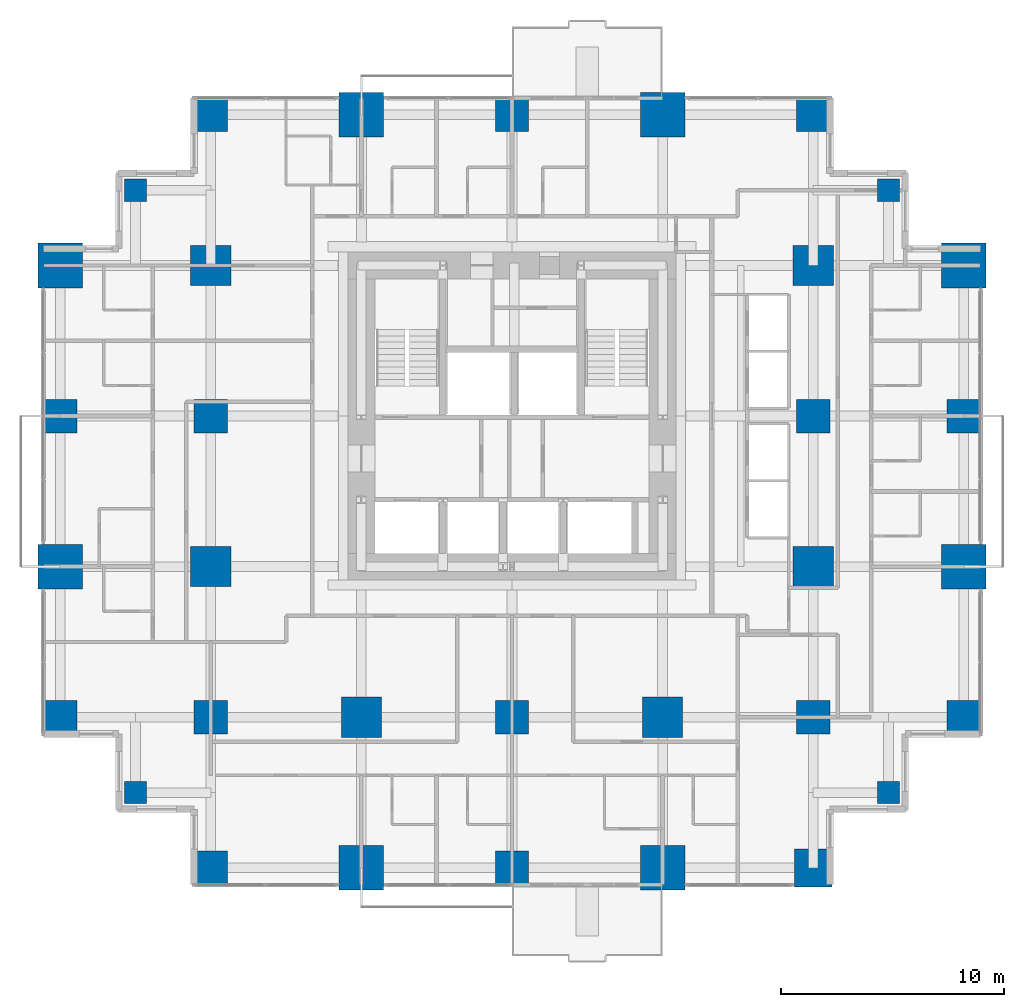
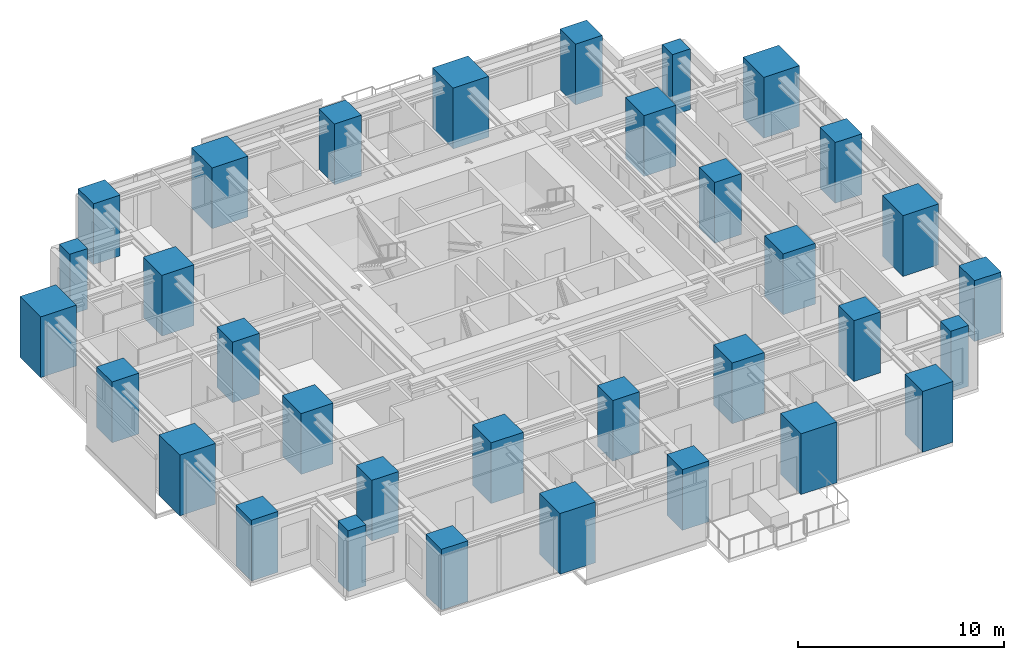
# One storey, part 1 of 12: 33 columns.
"""IFC4 building model written with IfcOpenShell, lengths in metres."""

from ifc_helpers import new_model, si_unit, direction, frame, origin, origin_2d, place, context, subcontext, project, spatial, rectangle, extrude, material, material_profile, profile_set, type_object, element, save


model = new_model("IFC4")

# Units and contexts
model_context = context("Model", 3, precision=1e-05, world=origin(), true_north=direction((0.0, 1.0)))
body_context = subcontext(model_context, "Body", "Model", "MODEL_VIEW")
ifc_project = project(units=[si_unit("LENGTHUNIT", "METRE"), si_unit("AREAUNIT", "SQUARE_METRE"), si_unit("VOLUMEUNIT", "CUBIC_METRE"), si_unit("PLANEANGLEUNIT", "RADIAN"), si_unit("MASSUNIT", "GRAM", prefix="KILO")], contexts=[model_context])

# Site, building, storey
site_placement = place(None, origin())
site = spatial("IfcSite", under=ifc_project, at=site_placement, CompositionType="ELEMENT")
building_placement = place(site_placement, origin())
building = spatial("IfcBuilding", under=site, at=building_placement, Name="Nyansa Garden Tower", CompositionType="ELEMENT")
storey_placement = place(building_placement, frame((0.0, 0.0, 134.10009765625)))
storey = spatial("IfcBuildingStorey", under=building, at=storey_placement, Name="L36", CompositionType="ELEMENT", Elevation=134.10009765625)

# Columns
ifc_material_1 = material(Name="Concrete C70/85", Category="concrete")
ifc_material_profile_1 = material_profile(ifc_material_1, rectangle(XDim=1.0, YDim=1.0, at=origin_2d()), Name="RC 1000x1000")
ifc_profile_set_1 = profile_set([ifc_material_profile_1], Name="Concrete C70/85")
column_type_1 = type_object("IfcColumnType", Name="Column C100 RC 1000x1000", PredefinedType="COLUMN", material=ifc_profile_set_1)
for number, where, z_axis, x_axis, name in (
    (1, (3.375, 3.375, 0.0), (0.0, 0.0, 1.0), (1.0, 0.0, 0.0), "Column x3.375/y3.375 L36"),
    (2, (3.375, 30.375, 0.0), (0.0, 0.0, 1.0), (1.0, 0.0, 0.0), "Column x3.375/y30.375 L36"),
    (3, (37.125, 3.375, 0.0), (0.0, 0.0, 1.0), (1.0, 0.0, 0.0), "Column x37.125/y3.375 L36"),
    (4, (37.125, 30.375, 0.0), (0.0, 0.0, 1.0), (1.0, 0.0, 0.0), "Column x37.125/y30.375 L36"),
):
    element("IfcColumn", number, at=place(storey_placement, frame(where, z_axis=z_axis, x_axis=x_axis)), inside=storey, type_object=column_type_1, Name=name, PredefinedType="COLUMN", context=body_context, shape_type="SweptSolid", body=[
        extrude(rectangle(XDim=1.0, YDim=1.0, at=origin_2d()), origin(), (0.0, 0.0, 1.0), 3.599853515625),
    ])
ifc_material_2 = material(Name="Concrete C80/95", Category="concrete")
ifc_material_profile_2 = material_profile(ifc_material_2, rectangle(XDim=1.5, YDim=1.5, at=origin_2d()), Name="RC 1500x1500")
ifc_profile_set_2 = profile_set([ifc_material_profile_2], Name="Concrete C80/95")
column_type_2 = type_object("IfcColumnType", Name="Column C150 RC 1500x1500", PredefinedType="COLUMN", material=ifc_profile_set_2)
for number, where, z_axis, x_axis, name in (
    (5, (0.0, 6.75, 0.0), (0.0, 0.0, 1.0), (1.0, 0.0, 0.0), "Column 2/E L36"),
    (6, (0.0, 20.25, 0.0), (0.0, 0.0, 1.0), (1.0, 0.0, 0.0), "Column 2/G L36"),
    (7, (6.75, 0.0, 0.0), (0.0, 0.0, 1.0), (1.0, 0.0, 0.0), "Column 3/D L36"),
    (8, (6.75, 6.75, 0.0), (0.0, 0.0, 1.0), (1.0, 0.0, 0.0), "Column 3/E L36"),
    (9, (6.75, 20.25, 0.0), (0.0, 0.0, 1.0), (1.0, 0.0, 0.0), "Column 3/G L36"),
    (10, (6.75, 33.75, 0.0), (0.0, 0.0, 1.0), (1.0, 0.0, 0.0), "Column 3/J L36"),
    (11, (20.25, 0.0, 0.0), (0.0, 0.0, 1.0), (1.0, 0.0, 0.0), "Column 5/D L36"),
    (12, (20.25, 6.75, 0.0), (0.0, 0.0, 1.0), (1.0, 0.0, 0.0), "Column 5/E L36"),
    (13, (20.25, 33.75, 0.0), (0.0, 0.0, 1.0), (1.0, 0.0, 0.0), "Column 5/J L36"),
    (14, (33.75, 6.75, 0.0), (0.0, 0.0, 1.0), (1.0, 0.0, 0.0), "Column 7/E L36"),
    (15, (33.75, 20.25, 0.0), (0.0, 0.0, 1.0), (1.0, 0.0, 0.0), "Column 7/G L36"),
    (16, (33.75, 33.75, 0.0), (0.0, 0.0, 1.0), (1.0, 0.0, 0.0), "Column 7/J L36"),
    (17, (40.5, 6.75, 0.0), (0.0, 0.0, 1.0), (1.0, 0.0, 0.0), "Column 8/E L36"),
    (18, (40.5, 20.25, 0.0), (0.0, 0.0, 1.0), (1.0, 0.0, 0.0), "Column 8/G L36"),
):
    element("IfcColumn", number, at=place(storey_placement, frame(where, z_axis=z_axis, x_axis=x_axis)), inside=storey, type_object=column_type_2, Name=name, PredefinedType="COLUMN", context=body_context, shape_type="SweptSolid", body=[
        extrude(rectangle(XDim=1.5, YDim=1.5, at=origin_2d()), origin(), (0.0, 0.0, 1.0), 3.599853515625),
    ])
ifc_material_3 = material(Name="Concrete C80/95", Category="concrete")
ifc_material_profile_3 = material_profile(ifc_material_3, rectangle(XDim=1.699951171875, YDim=1.699951171875, at=origin_2d()), Name="RC 1700x1700")
ifc_profile_set_3 = profile_set([ifc_material_profile_3], Name="Concrete C80/95")
column_type_3 = type_object("IfcColumnType", Name="Column C170 RC 1700x1700", PredefinedType="COLUMN", material=ifc_profile_set_3)
column_placement = place(storey_placement, frame((33.75, 0.0, 0.0), z_axis=(0.0, 0.0, 1.0), x_axis=(1.0, 0.0, 0.0)))
element("IfcColumn", 19, at=column_placement, inside=storey, type_object=column_type_3, Name="Column 7/D L36", PredefinedType="COLUMN", context=body_context, shape_type="SweptSolid", body=[
    extrude(rectangle(XDim=1.699951171875, YDim=1.699951171875, at=origin_2d()), origin(), (0.0, 0.0, 1.0), 3.599853515625),
])
ifc_material_4 = material(Name="Concrete C80/95", Category="concrete")
ifc_material_profile_4 = material_profile(ifc_material_4, rectangle(XDim=1.800048828125, YDim=1.800048828125, at=origin_2d()), Name="RC 1800x1800")
ifc_profile_set_4 = profile_set([ifc_material_profile_4], Name="Concrete C80/95")
column_type_4 = type_object("IfcColumnType", Name="Column C180 RC 1800x1800", PredefinedType="COLUMN", material=ifc_profile_set_4)
for number, where, z_axis, x_axis, name in (
    (20, (6.75, 13.5, 0.0), (0.0, 0.0, 1.0), (1.0, 0.0, 0.0), "Column 3/F L36"),
    (21, (6.75, 27.0, 0.0), (0.0, 0.0, 1.0), (1.0, 0.0, 0.0), "Column 3/H L36"),
    (22, (13.5, 6.75, 0.0), (0.0, 0.0, 1.0), (1.0, 0.0, 0.0), "Column 4/E L36"),
    (23, (27.0, 6.75, 0.0), (0.0, 0.0, 1.0), (1.0, 0.0, 0.0), "Column 6/E L36"),
    (24, (33.75, 13.5, 0.0), (0.0, 0.0, 1.0), (1.0, 0.0, 0.0), "Column 7/F L36"),
    (25, (33.75, 27.0, 0.0), (0.0, 0.0, 1.0), (1.0, 0.0, 0.0), "Column 7/H L36"),
):
    element("IfcColumn", number, at=place(storey_placement, frame(where, z_axis=z_axis, x_axis=x_axis)), inside=storey, type_object=column_type_4, Name=name, PredefinedType="COLUMN", context=body_context, shape_type="SweptSolid", body=[
        extrude(rectangle(XDim=1.800048828125, YDim=1.800048828125, at=origin_2d()), origin(), (0.0, 0.0, 1.0), 3.599853515625),
    ])
ifc_material_5 = material(Name="Concrete C80/95", Category="concrete")
ifc_material_profile_5 = material_profile(ifc_material_5, rectangle(XDim=2.0, YDim=2.0, at=origin_2d()), Name="RC 2000x2000")
ifc_profile_set_5 = profile_set([ifc_material_profile_5], Name="Concrete C80/95")
column_type_5 = type_object("IfcColumnType", Name="Column C200 RC 2000x2000", PredefinedType="COLUMN", material=ifc_profile_set_5)
for number, where, z_axis, x_axis, name in (
    (26, (0.0, 13.5, 0.0), (0.0, 0.0, 1.0), (1.0, 0.0, 0.0), "Column 2/F L36"),
    (27, (0.0, 27.0, 0.0), (0.0, 0.0, 1.0), (1.0, 0.0, 0.0), "Column 2/H L36"),
    (28, (13.5, 0.0, 0.0), (0.0, 0.0, 1.0), (1.0, 0.0, 0.0), "Column 4/D L36"),
    (29, (13.5, 33.75, 0.0), (0.0, 0.0, 1.0), (1.0, 0.0, 0.0), "Column 4/J L36"),
    (30, (27.0, 0.0, 0.0), (0.0, 0.0, 1.0), (1.0, 0.0, 0.0), "Column 6/D L36"),
    (31, (27.0, 33.75, 0.0), (0.0, 0.0, 1.0), (1.0, 0.0, 0.0), "Column 6/J L36"),
    (32, (40.5, 13.5, 0.0), (0.0, 0.0, 1.0), (1.0, 0.0, 0.0), "Column 8/F L36"),
    (33, (40.5, 27.0, 0.0), (0.0, 0.0, 1.0), (1.0, 0.0, 0.0), "Column 8/H L36"),
):
    element("IfcColumn", number, at=place(storey_placement, frame(where, z_axis=z_axis, x_axis=x_axis)), inside=storey, type_object=column_type_5, Name=name, PredefinedType="COLUMN", context=body_context, shape_type="SweptSolid", body=[
        extrude(rectangle(XDim=2.0, YDim=2.0, at=origin_2d()), origin(), (0.0, 0.0, 1.0), 3.599853515625),
    ])

save(model, "model.ifc")
